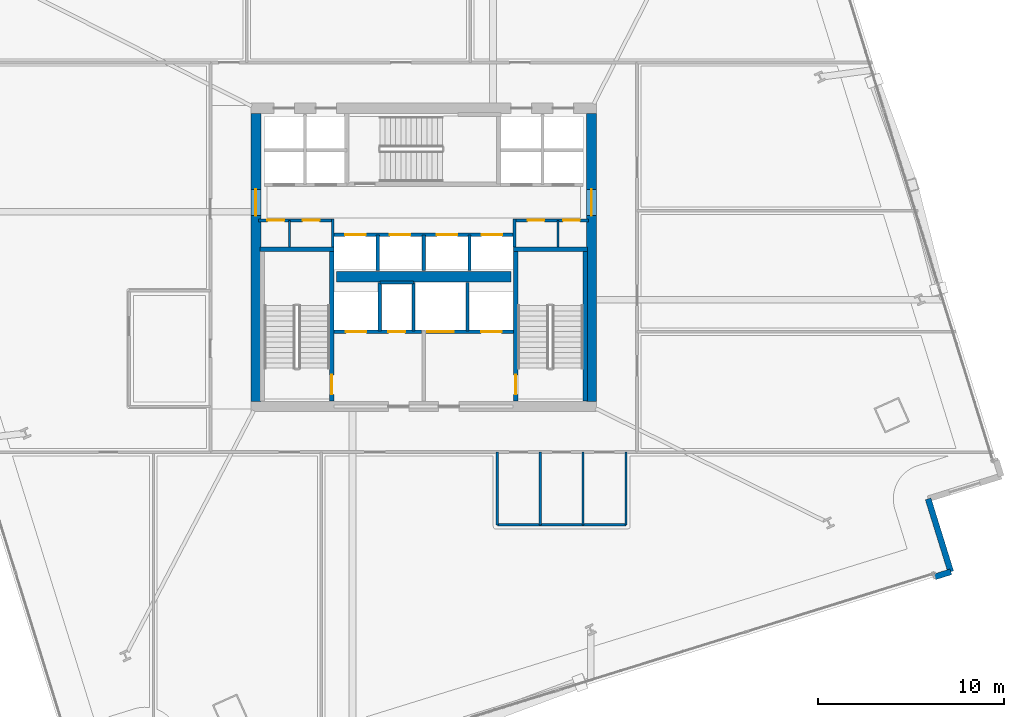
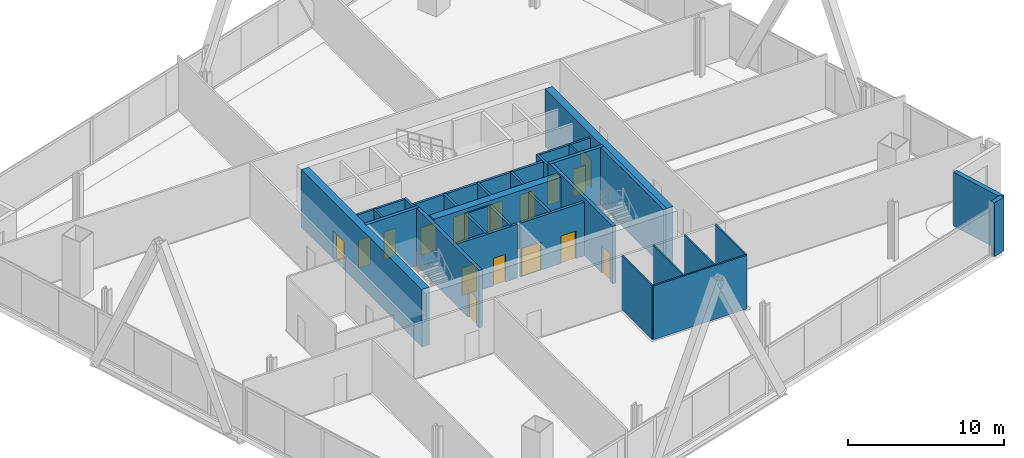
# One storey, part 17 of 26: 31 walls, 16 doors, 16 openings.
"""IFC4 building model written with IfcOpenShell, lengths in metres."""

from ifc_helpers import new_model, si_unit, direction, frame, frame_2d, origin, place, context, subcontext, project, spatial, rectangle, extrude, material, layer, layer_set, type_object, element, fill, save


model = new_model("IFC4")

# Units and contexts
model_context = context("Model", 3, precision=1e-05, world=origin(), true_north=direction((0.0, 1.0)))
body_context = subcontext(model_context, "Body", "Model", "MODEL_VIEW")
ifc_project = project(units=[si_unit("LENGTHUNIT", "METRE"), si_unit("AREAUNIT", "SQUARE_METRE"), si_unit("VOLUMEUNIT", "CUBIC_METRE"), si_unit("PLANEANGLEUNIT", "RADIAN"), si_unit("MASSUNIT", "GRAM", prefix="KILO")], contexts=[model_context])

# Site, building, storey
site_placement = place(None, origin())
site = spatial("IfcSite", under=ifc_project, at=site_placement, CompositionType="ELEMENT")
building_placement = place(site_placement, origin())
building = spatial("IfcBuilding", under=site, at=building_placement, Name="Haldenkirk Collegiate Tower", CompositionType="ELEMENT")
storey_placement = place(building_placement, frame((0.0, 0.0, 85.949951171875)))
storey = spatial("IfcBuildingStorey", under=building, at=storey_placement, Name="L20", CompositionType="ELEMENT", Elevation=85.949951171875)

# Wall, opening, door
ifc_material_1 = material(Name="Concrete f'c 70 MPa", Category="concrete")
ifc_layer_1 = layer(ifc_material_1, 0.550048828125)
ifc_layer_set_1 = layer_set([ifc_layer_1], Name="Concrete f'c 70 MPa")
wall_type_1 = type_object("IfcWallType", Name="WL-CORE-550", PredefinedType="SHEAR", material=ifc_layer_set_1)
wall_1_placement = place(storey_placement, frame((27.0, 18.27490234375, 0.0), z_axis=(0.0, 0.0, 1.0), x_axis=(0.0, 1.0, 0.0)))
wall_1 = element("IfcWall", 1, at=wall_1_placement, inside=storey, type_object=wall_type_1, Name="L20 central core shear wall W", PredefinedType="SHEAR", context=body_context, shape_type="SweptSolid", body=[
    extrude(rectangle(XDim=15.4501953125, YDim=0.550048828125, at=frame_2d((7.72509765625, 0.0))), origin(), (0.0, 0.0, 1.0), 4.5),
])
opening_1_placement = place(wall_1_placement, frame((9.965087890625, 0.0, 0.0)))
opening_1 = element("IfcOpeningElement", 2, at=opening_1_placement, cuts=wall_1, Name="Opening D-03", PredefinedType="OPENING", context=body_context, shape_type="SweptSolid", body=[
    extrude(rectangle(XDim=1.39990234375, YDim=2.199951171875, at=frame_2d((0.699951171875, 1.10009765625))), frame((0.0, 0.284912109375, 0.0), z_axis=(0.0, -1.0, 0.0), x_axis=(1.0, 0.0, 0.0)), (0.0, 0.0, 1.0), 0.570068359375),
])
ifc_material_2 = material(Name="Galvanized fire-rated hollow steel door", Category="steel")
ifc_layer_2 = layer(ifc_material_2, 0.06005859375)
ifc_layer_set_2 = layer_set([ifc_layer_2], Name="Galvanized fire-rated hollow steel door")
door_type_1 = type_object("IfcDoorType", Name="DR-LOBBY-FD90-1400", OperationType="NOTDEFINED", PredefinedType="DOOR", material=ifc_layer_set_2)
door_1_placement = place(opening_1_placement, origin())
door_1 = element("IfcDoor", 3, at=door_1_placement, inside=storey, type_object=door_type_1, Name="L20 west lift lobby portal", OperationType="DOUBLE_DOOR_SINGLE_SWING", OverallHeight=2.199951171875, OverallWidth=1.39990234375, PredefinedType="DOOR", context=body_context, shape_type="SweptSolid", body=[
    extrude(rectangle(XDim=1.39990234375, YDim=2.199951171875, at=frame_2d((0.699951171875, 1.10009765625))), frame((0.0, 0.02490234375, 0.0), z_axis=(0.0, -1.0, 0.0), x_axis=(1.0, 0.0, 0.0)), (0.0, 0.0, 1.0), 0.050048828125),
])
fill(opening_1, door_1)

wall_2_placement = place(storey_placement, frame((45.0, 18.27490234375, 0.0), z_axis=(0.0, 0.0, 1.0), x_axis=(0.0, 1.0, 0.0)))
wall_2 = element("IfcWall", 4, at=wall_2_placement, inside=storey, type_object=wall_type_1, Name="L20 central core shear wall E", PredefinedType="SHEAR", context=body_context, shape_type="SweptSolid", body=[
    extrude(rectangle(XDim=15.4501953125, YDim=0.550048828125, at=frame_2d((7.72509765625, 0.0))), origin(), (0.0, 0.0, 1.0), 4.5),
])
opening_2_placement = place(wall_2_placement, frame((9.965087890625, 0.0, 0.0)))
opening_2 = element("IfcOpeningElement", 5, at=opening_2_placement, cuts=wall_2, Name="Opening D-03", PredefinedType="OPENING", context=body_context, shape_type="SweptSolid", body=[
    extrude(rectangle(XDim=1.39990234375, YDim=2.199951171875, at=frame_2d((0.699951171875, 1.10009765625))), frame((0.0, 0.284912109375, 0.0), z_axis=(0.0, -1.0, 0.0), x_axis=(1.0, 0.0, 0.0)), (0.0, 0.0, 1.0), 0.570068359375),
])
door_2_placement = place(opening_2_placement, origin())
door_2 = element("IfcDoor", 6, at=door_2_placement, inside=storey, type_object=door_type_1, Name="L20 east lift lobby portal", OperationType="DOUBLE_DOOR_SINGLE_SWING", OverallHeight=2.199951171875, OverallWidth=1.39990234375, PredefinedType="DOOR", context=body_context, shape_type="SweptSolid", body=[
    extrude(rectangle(XDim=1.39990234375, YDim=2.199951171875, at=frame_2d((0.699951171875, 1.10009765625))), frame((0.0, 0.02490234375, 0.0), z_axis=(0.0, -1.0, 0.0), x_axis=(1.0, 0.0, 0.0)), (0.0, 0.0, 1.0), 0.050048828125),
])
fill(opening_2, door_2)

# Walls
wall_3_placement = place(storey_placement, frame((31.31005859375, 24.949951171875, 0.0), z_axis=(0.0, 0.0, 1.0), x_axis=(1.0, 0.0, 0.0)))
element("IfcWall", 7, at=wall_3_placement, inside=storey, type_object=wall_type_1, Name="L20 central core spine shear wall", PredefinedType="SHEAR", context=body_context, shape_type="SweptSolid", body=[
    extrude(rectangle(XDim=9.3798828125, YDim=0.550048828125, at=frame_2d((4.68994140625, 0.0))), origin(), (0.0, 0.0, 1.0), 4.5),
])
ifc_material_3 = material(Name="Precast concrete f'c 40 MPa", Category="concrete")
ifc_layer_3 = layer(ifc_material_3, 0.320068359375)
ifc_layer_set_3 = layer_set([ifc_layer_3], Name="Precast concrete f'c 40 MPa")
wall_type_2 = type_object("IfcWallType", Name="WL-EXT-TWR-320", PredefinedType="STANDARD", material=ifc_layer_set_3)
wall_4_placement = place(storey_placement, frame((64.275634765625, 9.1259765625, 0.0), z_axis=(0.0, 0.0, 1.0), x_axis=(-0.954942240285, -0.296791707634, 0.0)))
element("IfcWall", 8, at=wall_4_placement, inside=storey, type_object=wall_type_2, Name="L20 precast corner pier SL", PredefinedType="STANDARD", context=body_context, shape_type="SweptSolid", body=[
    extrude(rectangle(XDim=0.89990234375, YDim=0.320068359375, at=frame_2d((0.449951171875, 0.0))), origin(), (0.0, 0.0, 1.0), 4.199951171875),
])
wall_5_placement = place(storey_placement, frame((63.059814453125, 13.04150390625, 0.0), z_axis=(0.0, 0.0, 1.0), x_axis=(0.296545302379, -0.95501878706, 0.0)))
element("IfcWall", 9, at=wall_5_placement, inside=storey, type_object=wall_type_2, Name="L20 bronze precast notch wall 02", PredefinedType="STANDARD", context=body_context, shape_type="SweptSolid", body=[
    extrude(rectangle(XDim=4.099853515625, YDim=0.320068359375, at=frame_2d((2.0498046875, 0.0))), origin(), (0.0, 0.0, 1.0), 4.199951171875),
])

# Wall, openings, doors
ifc_material_4 = material(Name="Acoustic fire-rated gypsum partition", Category="concrete")
ifc_layer_4 = layer(ifc_material_4, 0.159912109375)
ifc_layer_set_4 = layer_set([ifc_layer_4], Name="Acoustic fire-rated gypsum partition")
wall_type_3 = type_object("IfcWallType", Name="WL-INT-CORR-160", PredefinedType="PARTITIONING", material=ifc_layer_set_4)
wall_6_placement = place(storey_placement, frame((27.14990234375, 27.97998046875, 0.0), z_axis=(0.0, 0.0, 1.0), x_axis=(1.0, 0.0, 0.0)))
wall_6 = element("IfcWall", 10, at=wall_6_placement, inside=storey, type_object=wall_type_3, Name="L20 interior partition IW-L20-VCSW-N", PredefinedType="PARTITIONING", context=body_context, shape_type="SweptSolid", body=[
    extrude(rectangle(XDim=4.050048828125, YDim=0.159912109375, at=frame_2d((2.02490234375, 0.0))), origin(), (0.0, 0.0, 1.0), 4.199951171875),
])
opening_3_placement = place(wall_6_placement, frame((0.469970703125, 0.0, 0.0)))
opening_3 = element("IfcOpeningElement", 11, at=opening_3_placement, cuts=wall_6, Name="Opening D-11", PredefinedType="OPENING", context=body_context, shape_type="SweptSolid", body=[
    extrude(rectangle(XDim=0.89990234375, YDim=2.14990234375, at=frame_2d((0.449951171875, 1.074951171875))), frame((0.0, 0.08984375, 0.0), z_axis=(0.0, -1.0, 0.0), x_axis=(1.0, 0.0, 0.0)), (0.0, 0.0, 1.0), 0.179931640625),
])
opening_4_placement = place(wall_6_placement, frame((2.360107421875, 0.0, 0.0)))
opening_4 = element("IfcOpeningElement", 12, at=opening_4_placement, cuts=wall_6, Name="Opening D-11", PredefinedType="OPENING", context=body_context, shape_type="SweptSolid", body=[
    extrude(rectangle(XDim=0.89990234375, YDim=2.14990234375, at=frame_2d((0.449951171875, 1.074951171875))), frame((0.0, 0.08984375, 0.0), z_axis=(0.0, -1.0, 0.0), x_axis=(1.0, 0.0, 0.0)), (0.0, 0.0, 1.0), 0.179931640625),
])
ifc_material_5 = material(Name="Solid-core architectural oak fire door", Category="wood")
ifc_layer_5 = layer(ifc_material_5, 0.06005859375)
ifc_layer_set_5 = layer_set([ifc_layer_5], Name="Solid-core architectural oak fire door")
door_type_2 = type_object("IfcDoorType", Name="DR-INT-FD60-900", OperationType="NOTDEFINED", PredefinedType="DOOR", material=ifc_layer_set_5)
door_3_placement = place(opening_3_placement, origin())
door_3 = element("IfcDoor", 13, at=door_3_placement, inside=storey, type_object=door_type_2, Name="L20 core AV closet door", OperationType="SINGLE_SWING_RIGHT", OverallHeight=2.14990234375, OverallWidth=0.89990234375, PredefinedType="DOOR", context=body_context, shape_type="SweptSolid", body=[
    extrude(rectangle(XDim=0.89990234375, YDim=2.14990234375, at=frame_2d((0.449951171875, 1.074951171875))), frame((0.0, 0.02490234375, 0.0), z_axis=(0.0, -1.0, 0.0), x_axis=(1.0, 0.0, 0.0)), (0.0, 0.0, 1.0), 0.050048828125),
])
fill(opening_3, door_3)
door_4_placement = place(opening_4_placement, origin())
door_4 = element("IfcDoor", 14, at=door_4_placement, inside=storey, type_object=door_type_2, Name="L20 core supply closet door", OperationType="SINGLE_SWING_LEFT", OverallHeight=2.14990234375, OverallWidth=0.89990234375, PredefinedType="DOOR", context=body_context, shape_type="SweptSolid", body=[
    extrude(rectangle(XDim=0.89990234375, YDim=2.14990234375, at=frame_2d((0.449951171875, 1.074951171875))), frame((0.0, 0.02490234375, 0.0), z_axis=(0.0, -1.0, 0.0), x_axis=(1.0, 0.0, 0.0)), (0.0, 0.0, 1.0), 0.050048828125),
])
fill(opening_4, door_4)

# Wall
wall_7_placement = place(storey_placement, frame((31.1201171875, 26.5400390625, 0.0), z_axis=(0.0, 0.0, 1.0), x_axis=(0.0, 1.0, 0.0)))
element("IfcWall", 15, at=wall_7_placement, inside=storey, type_object=wall_type_3, Name="L20 interior partition IW-L20-VCSW-E", PredefinedType="PARTITIONING", context=body_context, shape_type="SweptSolid", body=[
    extrude(rectangle(XDim=1.510009765625, YDim=0.159912109375, at=frame_2d((0.7548828125, 0.0))), origin(), (0.0, 0.0, 1.0), 4.199951171875),
])

# Wall, openings, doors
wall_8_placement = place(storey_placement, frame((40.800048828125, 27.97998046875, 0.0), z_axis=(0.0, 0.0, 1.0), x_axis=(1.0, 0.0, 0.0)))
wall_8 = element("IfcWall", 16, at=wall_8_placement, inside=storey, type_object=wall_type_3, Name="L20 interior partition IW-L20-VCSE-N", PredefinedType="PARTITIONING", context=body_context, shape_type="SweptSolid", body=[
    extrude(rectangle(XDim=4.050048828125, YDim=0.159912109375, at=frame_2d((2.02490234375, 0.0))), origin(), (0.0, 0.0, 1.0), 4.199951171875),
])
opening_5_placement = place(wall_8_placement, frame((0.77001953125, 0.0, 0.0)))
opening_5 = element("IfcOpeningElement", 17, at=opening_5_placement, cuts=wall_8, Name="Opening D-11", PredefinedType="OPENING", context=body_context, shape_type="SweptSolid", body=[
    extrude(rectangle(XDim=0.89990234375, YDim=2.14990234375, at=frame_2d((0.449951171875, 1.074951171875))), frame((0.0, 0.08984375, 0.0), z_axis=(0.0, -1.0, 0.0), x_axis=(1.0, 0.0, 0.0)), (0.0, 0.0, 1.0), 0.179931640625),
])
opening_6_placement = place(wall_8_placement, frame((2.679931640625, 0.0, 0.0)))
opening_6 = element("IfcOpeningElement", 18, at=opening_6_placement, cuts=wall_8, Name="Opening D-11", PredefinedType="OPENING", context=body_context, shape_type="SweptSolid", body=[
    extrude(rectangle(XDim=0.89990234375, YDim=2.14990234375, at=frame_2d((0.449951171875, 1.074951171875))), frame((0.0, 0.08984375, 0.0), z_axis=(0.0, -1.0, 0.0), x_axis=(1.0, 0.0, 0.0)), (0.0, 0.0, 1.0), 0.179931640625),
])
door_5_placement = place(opening_5_placement, origin())
door_5 = element("IfcDoor", 19, at=door_5_placement, inside=storey, type_object=door_type_2, Name="L20 core archive door", OperationType="SINGLE_SWING_RIGHT", OverallHeight=2.14990234375, OverallWidth=0.89990234375, PredefinedType="DOOR", context=body_context, shape_type="SweptSolid", body=[
    extrude(rectangle(XDim=0.89990234375, YDim=2.14990234375, at=frame_2d((0.449951171875, 1.074951171875))), frame((0.0, 0.02490234375, 0.0), z_axis=(0.0, -1.0, 0.0), x_axis=(1.0, 0.0, 0.0)), (0.0, 0.0, 1.0), 0.050048828125),
])
fill(opening_5, door_5)
door_6_placement = place(opening_6_placement, origin())
door_6 = element("IfcDoor", 20, at=door_6_placement, inside=storey, type_object=door_type_2, Name="L20 core telecom door", OperationType="SINGLE_SWING_LEFT", OverallHeight=2.14990234375, OverallWidth=0.89990234375, PredefinedType="DOOR", context=body_context, shape_type="SweptSolid", body=[
    extrude(rectangle(XDim=0.89990234375, YDim=2.14990234375, at=frame_2d((0.449951171875, 1.074951171875))), frame((0.0, 0.02490234375, 0.0), z_axis=(0.0, -1.0, 0.0), x_axis=(1.0, 0.0, 0.0)), (0.0, 0.0, 1.0), 0.050048828125),
])
fill(opening_6, door_6)

# Walls
wall_9_placement = place(storey_placement, frame((40.8798828125, 26.5400390625, 0.0), z_axis=(0.0, 0.0, 1.0), x_axis=(0.0, 1.0, 0.0)))
element("IfcWall", 21, at=wall_9_placement, inside=storey, type_object=wall_type_3, Name="L20 interior partition IW-L20-VCSE-W", PredefinedType="PARTITIONING", context=body_context, shape_type="SweptSolid", body=[
    extrude(rectangle(XDim=1.510009765625, YDim=0.159912109375, at=frame_2d((0.7548828125, 0.0))), origin(), (0.0, 0.0, 1.0), 4.199951171875),
])
ifc_material_6 = material(Name="Fire-rated gypsum shaftboard assembly", Category="concrete")
ifc_layer_6 = layer(ifc_material_6, 0.179931640625)
ifc_layer_set_6 = layer_set([ifc_layer_6], Name="Fire-rated gypsum shaftboard assembly")
wall_type_4 = type_object("IfcWallType", Name="WL-INT-SHAFT-180", PredefinedType="PARTITIONING", material=ifc_layer_set_6)
for number, where, z_axis, x_axis, name in (
    (22, (33.64990234375, 22.050048828125, 0.0), (0.0, 0.0, 1.0), (0.0, 1.0, 0.0), "L20 interior partition IW-L20-FL1E"),
    (23, (35.449951171875, 22.050048828125, 0.0), (0.0, 0.0, 1.0), (0.0, 1.0, 0.0), "L20 interior partition IW-L20-GL1W"),
):
    element("IfcWall", number, at=place(storey_placement, frame(where, z_axis=z_axis, x_axis=x_axis)), inside=storey, type_object=wall_type_4, Name=name, PredefinedType="PARTITIONING", context=body_context, shape_type="SweptSolid", body=[
        extrude(rectangle(XDim=2.599853515625, YDim=0.179931640625, at=frame_2d((1.2998046875, 0.0))), origin(), (0.0, 0.0, 1.0), 4.199951171875),
    ])
wall_10_placement = place(storey_placement, frame((33.64990234375, 24.64990234375, 0.0), z_axis=(0.0, 0.0, 1.0), x_axis=(1.0, 0.0, 0.0)))
element("IfcWall", 24, at=wall_10_placement, inside=storey, type_object=wall_type_4, Name="L20 interior partition IW-L20-RSRN", PredefinedType="PARTITIONING", context=body_context, shape_type="SweptSolid", body=[
    extrude(rectangle(XDim=1.800048828125, YDim=0.179931640625, at=frame_2d((0.89990234375, 0.0))), origin(), (0.0, 0.0, 1.0), 4.199951171875),
])
wall_11_placement = place(storey_placement, frame((38.35009765625, 22.050048828125, 0.0), z_axis=(0.0, 0.0, 1.0), x_axis=(0.0, 1.0, 0.0)))
element("IfcWall", 25, at=wall_11_placement, inside=storey, type_object=wall_type_4, Name="L20 interior partition IW-L20-GL1E", PredefinedType="PARTITIONING", context=body_context, shape_type="SweptSolid", body=[
    extrude(rectangle(XDim=2.599853515625, YDim=0.179931640625, at=frame_2d((1.2998046875, 0.0))), origin(), (0.0, 0.0, 1.0), 4.199951171875),
])

# Wall, openings, doors
wall_12_placement = place(storey_placement, frame((31.199951171875, 27.199951171875, 0.0), z_axis=(0.0, 0.0, 1.0), x_axis=(1.0, 0.0, 0.0)))
wall_12 = element("IfcWall", 26, at=wall_12_placement, inside=storey, type_object=wall_type_4, Name="L20 interior partition IW-L20-PHN", PredefinedType="PARTITIONING", context=body_context, shape_type="SweptSolid", body=[
    extrude(rectangle(XDim=9.60009765625, YDim=0.179931640625, at=frame_2d((4.800048828125, 0.0))), origin(), (0.0, 0.0, 1.0), 4.199951171875),
])
opening_7_placement = place(wall_12_placement, frame((0.590087890625, 0.0, 0.0)))
opening_7 = element("IfcOpeningElement", 27, at=opening_7_placement, cuts=wall_12, Name="Opening LD-11", PredefinedType="OPENING", context=body_context, shape_type="SweptSolid", body=[
    extrude(rectangle(XDim=1.10009765625, YDim=2.14990234375, at=frame_2d((0.550048828125, 1.074951171875))), frame((0.0, 0.099853515625, 0.0), z_axis=(0.0, -1.0, 0.0), x_axis=(1.0, 0.0, 0.0)), (0.0, 0.0, 1.0), 0.199951171875),
])
opening_8_placement = place(wall_12_placement, frame((2.989990234375, 0.0, 0.0)))
opening_8 = element("IfcOpeningElement", 28, at=opening_8_placement, cuts=wall_12, Name="Opening LD-11", PredefinedType="OPENING", context=body_context, shape_type="SweptSolid", body=[
    extrude(rectangle(XDim=1.10009765625, YDim=2.14990234375, at=frame_2d((0.550048828125, 1.074951171875))), frame((0.0, 0.099853515625, 0.0), z_axis=(0.0, -1.0, 0.0), x_axis=(1.0, 0.0, 0.0)), (0.0, 0.0, 1.0), 0.199951171875),
])
opening_9_placement = place(wall_12_placement, frame((5.510009765625, 0.0, 0.0)))
opening_9 = element("IfcOpeningElement", 29, at=opening_9_placement, cuts=wall_12, Name="Opening LD-11", PredefinedType="OPENING", context=body_context, shape_type="SweptSolid", body=[
    extrude(rectangle(XDim=1.10009765625, YDim=2.14990234375, at=frame_2d((0.550048828125, 1.074951171875))), frame((0.0, 0.099853515625, 0.0), z_axis=(0.0, -1.0, 0.0), x_axis=(1.0, 0.0, 0.0)), (0.0, 0.0, 1.0), 0.199951171875),
])
opening_10_placement = place(wall_12_placement, frame((7.909912109375, 0.0, 0.0)))
opening_10 = element("IfcOpeningElement", 30, at=opening_10_placement, cuts=wall_12, Name="Opening LD-11", PredefinedType="OPENING", context=body_context, shape_type="SweptSolid", body=[
    extrude(rectangle(XDim=1.10009765625, YDim=2.14990234375, at=frame_2d((0.550048828125, 1.074951171875))), frame((0.0, 0.099853515625, 0.0), z_axis=(0.0, -1.0, 0.0), x_axis=(1.0, 0.0, 0.0)), (0.0, 0.0, 1.0), 0.199951171875),
])
ifc_material_7 = material(Name="Brushed architectural stainless steel", Category="steel")
ifc_layer_7 = layer(ifc_material_7, 0.06005859375)
ifc_layer_set_7 = layer_set([ifc_layer_7], Name="Brushed architectural stainless steel")
door_type_3 = type_object("IfcDoorType", Name="LD-PASS-1100", OperationType="NOTDEFINED", PredefinedType="DOOR", material=ifc_layer_set_7)
door_7_placement = place(opening_7_placement, origin())
door_7 = element("IfcDoor", 31, at=door_7_placement, inside=storey, type_object=door_type_3, Name="L20 Elevator PH1 sliding landing door", OperationType="SLIDING_TO_LEFT", OverallHeight=2.14990234375, OverallWidth=1.10009765625, PredefinedType="DOOR", context=body_context, shape_type="SweptSolid", body=[
    extrude(rectangle(XDim=1.10009765625, YDim=2.14990234375, at=frame_2d((0.550048828125, 1.074951171875))), frame((0.0, 0.02490234375, 0.0), z_axis=(0.0, -1.0, 0.0), x_axis=(1.0, 0.0, 0.0)), (0.0, 0.0, 1.0), 0.050048828125),
])
fill(opening_7, door_7)
door_8_placement = place(opening_8_placement, origin())
door_8 = element("IfcDoor", 32, at=door_8_placement, inside=storey, type_object=door_type_3, Name="L20 Elevator PH2 sliding landing door", OperationType="SLIDING_TO_LEFT", OverallHeight=2.14990234375, OverallWidth=1.10009765625, PredefinedType="DOOR", context=body_context, shape_type="SweptSolid", body=[
    extrude(rectangle(XDim=1.10009765625, YDim=2.14990234375, at=frame_2d((0.550048828125, 1.074951171875))), frame((0.0, 0.02490234375, 0.0), z_axis=(0.0, -1.0, 0.0), x_axis=(1.0, 0.0, 0.0)), (0.0, 0.0, 1.0), 0.050048828125),
])
fill(opening_8, door_8)
door_9_placement = place(opening_9_placement, origin())
door_9 = element("IfcDoor", 33, at=door_9_placement, inside=storey, type_object=door_type_3, Name="L20 Elevator PH3 sliding landing door", OperationType="SLIDING_TO_LEFT", OverallHeight=2.14990234375, OverallWidth=1.10009765625, PredefinedType="DOOR", context=body_context, shape_type="SweptSolid", body=[
    extrude(rectangle(XDim=1.10009765625, YDim=2.14990234375, at=frame_2d((0.550048828125, 1.074951171875))), frame((0.0, 0.02490234375, 0.0), z_axis=(0.0, -1.0, 0.0), x_axis=(1.0, 0.0, 0.0)), (0.0, 0.0, 1.0), 0.050048828125),
])
fill(opening_9, door_9)
door_10_placement = place(opening_10_placement, origin())
door_10 = element("IfcDoor", 34, at=door_10_placement, inside=storey, type_object=door_type_3, Name="L20 Elevator PH4 sliding landing door", OperationType="SLIDING_TO_LEFT", OverallHeight=2.14990234375, OverallWidth=1.10009765625, PredefinedType="DOOR", context=body_context, shape_type="SweptSolid", body=[
    extrude(rectangle(XDim=1.10009765625, YDim=2.14990234375, at=frame_2d((0.550048828125, 1.074951171875))), frame((0.0, 0.02490234375, 0.0), z_axis=(0.0, -1.0, 0.0), x_axis=(1.0, 0.0, 0.0)), (0.0, 0.0, 1.0), 0.050048828125),
])
fill(opening_10, door_10)

# Walls
for number, where, z_axis, x_axis, name in (
    (35, (33.5400390625, 25.300048828125, 0.0), (0.0, 0.0, 1.0), (0.0, 1.0, 0.0), "L20 interior partition IW-L20-PHV1"),
    (36, (36.0, 25.300048828125, 0.0), (0.0, 0.0, 1.0), (0.0, 1.0, 0.0), "L20 interior partition IW-L20-PHV2"),
    (37, (38.4599609375, 25.300048828125, 0.0), (0.0, 0.0, 1.0), (0.0, 1.0, 0.0), "L20 interior partition IW-L20-PHV3"),
):
    element("IfcWall", number, at=place(storey_placement, frame(where, z_axis=z_axis, x_axis=x_axis)), inside=storey, type_object=wall_type_4, Name=name, PredefinedType="PARTITIONING", context=body_context, shape_type="SweptSolid", body=[
        extrude(rectangle(XDim=1.89990234375, YDim=0.179931640625, at=frame_2d((0.949951171875, 0.0))), origin(), (0.0, 0.0, 1.0), 4.199951171875),
    ])

# Wall, openings, doors
ifc_layer_8 = layer(ifc_material_6, 0.199951171875)
ifc_layer_set_8 = layer_set([ifc_layer_8], Name="Fire-rated gypsum shaftboard assembly")
wall_type_5 = type_object("IfcWallType", Name="WL-INT-SHAFT-200", PredefinedType="PARTITIONING", material=ifc_layer_set_8)
wall_13_placement = place(storey_placement, frame((31.18994140625, 22.0, 0.0), z_axis=(0.0, 0.0, 1.0), x_axis=(1.0, 0.0, 0.0)))
wall_13 = element("IfcWall", 38, at=wall_13_placement, inside=storey, type_object=wall_type_5, Name="L20 interior partition IW-L20-FFL1N", PredefinedType="PARTITIONING", context=body_context, shape_type="SweptSolid", body=[
    extrude(rectangle(XDim=4.68994140625, YDim=0.199951171875, at=frame_2d((2.344970703125, 0.0))), origin(), (0.0, 0.0, 1.0), 4.199951171875),
])
opening_11_placement = place(wall_13_placement, frame((2.909912109375, 0.0, 0.0)))
opening_11 = element("IfcOpeningElement", 39, at=opening_11_placement, cuts=wall_13, Name="Opening D-06", PredefinedType="OPENING", context=body_context, shape_type="SweptSolid", body=[
    extrude(rectangle(XDim=0.89990234375, YDim=2.14990234375, at=frame_2d((0.449951171875, 1.074951171875))), frame((0.0, 0.10986328125, 0.0), z_axis=(0.0, -1.0, 0.0), x_axis=(1.0, 0.0, 0.0)), (0.0, 0.0, 1.0), 0.219970703125),
])
opening_12_placement = place(wall_13_placement, frame((0.635009765625, 0.0, 0.0)))
opening_12 = element("IfcOpeningElement", 40, at=opening_12_placement, cuts=wall_13, Name="Opening LD-12", PredefinedType="OPENING", context=body_context, shape_type="SweptSolid", body=[
    extrude(rectangle(XDim=1.10009765625, YDim=2.14990234375, at=frame_2d((0.550048828125, 1.074951171875))), frame((0.0, 0.10986328125, 0.0), z_axis=(0.0, -1.0, 0.0), x_axis=(1.0, 0.0, 0.0)), (0.0, 0.0, 1.0), 0.219970703125),
])
ifc_layer_9 = layer(ifc_material_2, 0.06005859375)
ifc_layer_set_9 = layer_set([ifc_layer_9], Name="Galvanized fire-rated hollow steel door")
door_type_4 = type_object("IfcDoorType", Name="DR-INT-FD90-900", OperationType="NOTDEFINED", PredefinedType="DOOR", material=ifc_layer_set_9)
door_11_placement = place(opening_11_placement, origin())
door_11 = element("IfcDoor", 41, at=door_11_placement, inside=storey, type_object=door_type_4, Name="L20 electrical riser door", OperationType="SINGLE_SWING_LEFT", OverallHeight=2.14990234375, OverallWidth=0.89990234375, PredefinedType="DOOR", context=body_context, shape_type="SweptSolid", body=[
    extrude(rectangle(XDim=0.89990234375, YDim=2.14990234375, at=frame_2d((0.449951171875, 1.074951171875))), frame((0.0, 0.02490234375, 0.0), z_axis=(0.0, -1.0, 0.0), x_axis=(1.0, 0.0, 0.0)), (0.0, 0.0, 1.0), 0.050048828125),
])
fill(opening_11, door_11)
ifc_layer_10 = layer(ifc_material_7, 0.06005859375)
ifc_layer_set_10 = layer_set([ifc_layer_10], Name="Brushed architectural stainless steel")
door_type_5 = type_object("IfcDoorType", Name="LD-FIRE-1100", OperationType="NOTDEFINED", PredefinedType="DOOR", material=ifc_layer_set_10)
door_12_placement = place(opening_12_placement, origin())
door_12 = element("IfcDoor", 42, at=door_12_placement, inside=storey, type_object=door_type_5, Name="L20 Elevator FL1 sliding landing door", OperationType="SLIDING_TO_LEFT", OverallHeight=2.14990234375, OverallWidth=1.10009765625, PredefinedType="DOOR", context=body_context, shape_type="SweptSolid", body=[
    extrude(rectangle(XDim=1.10009765625, YDim=2.14990234375, at=frame_2d((0.550048828125, 1.074951171875))), frame((0.0, 0.02490234375, 0.0), z_axis=(0.0, -1.0, 0.0), x_axis=(1.0, 0.0, 0.0)), (0.0, 0.0, 1.0), 0.050048828125),
])
fill(opening_12, door_12)

wall_14_placement = place(storey_placement, frame((36.1201171875, 22.0, 0.0), z_axis=(0.0, 0.0, 1.0), x_axis=(1.0, 0.0, 0.0)))
wall_14 = element("IfcWall", 43, at=wall_14_placement, inside=storey, type_object=wall_type_5, Name="L20 interior partition IW-L20-FFL2N", PredefinedType="PARTITIONING", context=body_context, shape_type="SweptSolid", body=[
    extrude(rectangle(XDim=4.68994140625, YDim=0.199951171875, at=frame_2d((2.344970703125, 0.0))), origin(), (0.0, 0.0, 1.0), 4.199951171875),
])
opening_13_placement = place(wall_14_placement, frame((2.955078125, 0.0, 0.0)))
opening_13 = element("IfcOpeningElement", 44, at=opening_13_placement, cuts=wall_14, Name="Opening LD-12", PredefinedType="OPENING", context=body_context, shape_type="SweptSolid", body=[
    extrude(rectangle(XDim=1.10009765625, YDim=2.14990234375, at=frame_2d((0.550048828125, 1.074951171875))), frame((0.0, 0.10986328125, 0.0), z_axis=(0.0, -1.0, 0.0), x_axis=(1.0, 0.0, 0.0)), (0.0, 0.0, 1.0), 0.219970703125),
])
opening_14_placement = place(wall_14_placement, frame((0.080078125, 0.0, 0.0)))
opening_14 = element("IfcOpeningElement", 45, at=opening_14_placement, cuts=wall_14, Name="Opening LD-13", PredefinedType="OPENING", context=body_context, shape_type="SweptSolid", body=[
    extrude(rectangle(XDim=1.39990234375, YDim=2.199951171875, at=frame_2d((0.699951171875, 1.10009765625))), frame((0.0, 0.10986328125, 0.0), z_axis=(0.0, -1.0, 0.0), x_axis=(1.0, 0.0, 0.0)), (0.0, 0.0, 1.0), 0.219970703125),
])
door_13_placement = place(opening_13_placement, origin())
door_13 = element("IfcDoor", 46, at=door_13_placement, inside=storey, type_object=door_type_5, Name="L20 Elevator FL2 sliding landing door", OperationType="SLIDING_TO_LEFT", OverallHeight=2.14990234375, OverallWidth=1.10009765625, PredefinedType="DOOR", context=body_context, shape_type="SweptSolid", body=[
    extrude(rectangle(XDim=1.10009765625, YDim=2.14990234375, at=frame_2d((0.550048828125, 1.074951171875))), frame((0.0, 0.02490234375, 0.0), z_axis=(0.0, -1.0, 0.0), x_axis=(1.0, 0.0, 0.0)), (0.0, 0.0, 1.0), 0.050048828125),
])
fill(opening_13, door_13)
ifc_layer_11 = layer(ifc_material_7, 0.06005859375)
ifc_layer_set_11 = layer_set([ifc_layer_11], Name="Brushed architectural stainless steel")
door_type_6 = type_object("IfcDoorType", Name="LD-GOODS-1400", OperationType="NOTDEFINED", PredefinedType="DOOR", material=ifc_layer_set_11)
door_14_placement = place(opening_14_placement, origin())
door_14 = element("IfcDoor", 47, at=door_14_placement, inside=storey, type_object=door_type_6, Name="L20 Elevator GL1 sliding landing door", OperationType="SLIDING_TO_LEFT", OverallHeight=2.199951171875, OverallWidth=1.39990234375, PredefinedType="DOOR", context=body_context, shape_type="SweptSolid", body=[
    extrude(rectangle(XDim=1.39990234375, YDim=2.199951171875, at=frame_2d((0.699951171875, 1.10009765625))), frame((0.0, 0.02490234375, 0.0), z_axis=(0.0, -1.0, 0.0), x_axis=(1.0, 0.0, 0.0)), (0.0, 0.0, 1.0), 0.050048828125),
])
fill(opening_14, door_14)

# Walls
ifc_layer_12 = layer(ifc_material_4, 0.1201171875)
ifc_layer_set_12 = layer_set([ifc_layer_12], Name="Acoustic fire-rated gypsum partition")
wall_type_6 = type_object("IfcWallType", Name="WL-INT-WET-120", PredefinedType="PARTITIONING", material=ifc_layer_set_12)
for number, where, z_axis, x_axis, name in (
    (48, (28.800048828125, 26.5400390625, 0.0), (0.0, 0.0, 1.0), (0.0, 1.0, 0.0), "L20 interior partition IW-L20-VCSW-M"),
    (49, (43.199951171875, 26.5400390625, 0.0), (0.0, 0.0, 1.0), (0.0, 1.0, 0.0), "L20 interior partition IW-L20-VCSE-M"),
):
    element("IfcWall", number, at=place(storey_placement, frame(where, z_axis=z_axis, x_axis=x_axis)), inside=storey, type_object=wall_type_6, Name=name, PredefinedType="PARTITIONING", context=body_context, shape_type="SweptSolid", body=[
        extrude(rectangle(XDim=1.43994140625, YDim=0.1201171875, at=frame_2d((0.719970703125, 0.0))), origin(), (0.0, 0.0, 1.0), 4.199951171875),
    ])
for number, where, z_axis, x_axis, name in (
    (50, (39.949951171875, 11.64990234375, 0.0), (0.0, 0.0, 1.0), (0.0, 1.0, 0.0), "L20 interior partition IW-L20-WCW"),
    (51, (42.25, 11.64990234375, 0.0), (0.0, 0.0, 1.0), (0.0, 1.0, 0.0), "L20 interior partition IW-L20-WC1"),
    (52, (44.550048828125, 11.64990234375, 0.0), (0.0, 0.0, 1.0), (0.0, 1.0, 0.0), "L20 interior partition IW-L20-WC2"),
    (53, (46.85009765625, 11.64990234375, 0.0), (0.0, 0.0, 1.0), (0.0, 1.0, 0.0), "L20 interior partition IW-L20-WCE"),
):
    element("IfcWall", number, at=place(storey_placement, frame(where, z_axis=z_axis, x_axis=x_axis)), inside=storey, type_object=wall_type_6, Name=name, PredefinedType="PARTITIONING", context=body_context, shape_type="SweptSolid", body=[
        extrude(rectangle(XDim=3.900146484375, YDim=0.1201171875, at=frame_2d((1.9501953125, 0.0))), origin(), (0.0, 0.0, 1.0), 4.199951171875),
    ])
wall_15_placement = place(storey_placement, frame((39.949951171875, 11.64990234375, 0.0), z_axis=(0.0, 0.0, 1.0), x_axis=(1.0, 0.0, 0.0)))
element("IfcWall", 54, at=wall_15_placement, inside=storey, type_object=wall_type_6, Name="L20 interior partition IW-L20-WCB", PredefinedType="PARTITIONING", context=body_context, shape_type="SweptSolid", body=[
    extrude(rectangle(XDim=6.900146484375, YDim=0.1201171875, at=frame_2d((3.4501953125, 0.0))), origin(), (0.0, 0.0, 1.0), 4.199951171875),
])

# Wall, opening, door
ifc_material_8 = material(Name="Concrete f'c 55 MPa", Category="concrete")
ifc_layer_13 = layer(ifc_material_8, 0.239990234375)
ifc_layer_set_13 = layer_set([ifc_layer_13], Name="Concrete f'c 55 MPa")
wall_type_7 = type_object("IfcWallType", Name="WL-SHAFT-240", PredefinedType="SHEAR", material=ifc_layer_set_13)
wall_16_placement = place(storey_placement, frame((31.070068359375, 18.280029296875, 0.0), z_axis=(0.0, 0.0, 1.0), x_axis=(0.0, 1.0, 0.0)))
wall_16 = element("IfcWall", 55, at=wall_16_placement, inside=storey, type_object=wall_type_7, Name="L20 stair shaft shear wall SW-L20-ST1E", PredefinedType="SHEAR", context=body_context, shape_type="SweptSolid", body=[
    extrude(rectangle(XDim=8.260009765625, YDim=0.239990234375, at=frame_2d((4.1298828125, 0.0))), origin(), (0.0, 0.0, 1.0), 4.5),
])
opening_15_placement = place(wall_16_placement, frame((0.364990234375, 0.0, 0.0)))
opening_15 = element("IfcOpeningElement", 56, at=opening_15_placement, cuts=wall_16, Name="Opening D-01", PredefinedType="OPENING", context=body_context, shape_type="SweptSolid", body=[
    extrude(rectangle(XDim=1.050048828125, YDim=2.14990234375, at=frame_2d((0.52490234375, 1.074951171875))), frame((0.0, 0.1298828125, 0.0), z_axis=(0.0, -1.0, 0.0), x_axis=(1.0, 0.0, 0.0)), (0.0, 0.0, 1.0), 0.260009765625),
])
ifc_layer_14 = layer(ifc_material_2, 0.06005859375)
ifc_layer_set_14 = layer_set([ifc_layer_14], Name="Galvanized fire-rated hollow steel door")
door_type_7 = type_object("IfcDoorType", Name="DR-STAIR-FD90-1050", OperationType="NOTDEFINED", PredefinedType="DOOR", material=ifc_layer_set_14)
door_15_placement = place(opening_15_placement, origin())
door_15 = element("IfcDoor", 57, at=door_15_placement, inside=storey, type_object=door_type_7, Name="L20 Stair 1 door", OperationType="SINGLE_SWING_LEFT", OverallHeight=2.14990234375, OverallWidth=1.050048828125, PredefinedType="DOOR", context=body_context, shape_type="SweptSolid", body=[
    extrude(rectangle(XDim=1.050048828125, YDim=2.14990234375, at=frame_2d((0.52490234375, 1.074951171875))), frame((0.0, 0.02490234375, 0.0), z_axis=(0.0, -1.0, 0.0), x_axis=(1.0, 0.0, 0.0)), (0.0, 0.0, 1.0), 0.050048828125),
])
fill(opening_15, door_15)

# Wall
wall_17_placement = place(storey_placement, frame((27.2099609375, 26.419921875, 0.0), z_axis=(0.0, 0.0, 1.0), x_axis=(1.0, 0.0, 0.0)))
element("IfcWall", 58, at=wall_17_placement, inside=storey, type_object=wall_type_7, Name="L20 stair shaft shear wall SW-L20-ST1N", PredefinedType="SHEAR", context=body_context, shape_type="SweptSolid", body=[
    extrude(rectangle(XDim=3.97998046875, YDim=0.239990234375, at=frame_2d((1.989990234375, 0.0))), origin(), (0.0, 0.0, 1.0), 4.5),
])

# Wall, opening, door
wall_18_placement = place(storey_placement, frame((40.929931640625, 18.280029296875, 0.0), z_axis=(0.0, 0.0, 1.0), x_axis=(0.0, 1.0, 0.0)))
wall_18 = element("IfcWall", 59, at=wall_18_placement, inside=storey, type_object=wall_type_7, Name="L20 stair shaft shear wall SW-L20-ST2W", PredefinedType="SHEAR", context=body_context, shape_type="SweptSolid", body=[
    extrude(rectangle(XDim=8.260009765625, YDim=0.239990234375, at=frame_2d((4.1298828125, 0.0))), origin(), (0.0, 0.0, 1.0), 4.5),
])
opening_16_placement = place(wall_18_placement, frame((0.364990234375, 0.0, 0.0)))
opening_16 = element("IfcOpeningElement", 60, at=opening_16_placement, cuts=wall_18, Name="Opening D-01", PredefinedType="OPENING", context=body_context, shape_type="SweptSolid", body=[
    extrude(rectangle(XDim=1.050048828125, YDim=2.14990234375, at=frame_2d((0.52490234375, 1.074951171875))), frame((0.0, 0.1298828125, 0.0), z_axis=(0.0, -1.0, 0.0), x_axis=(1.0, 0.0, 0.0)), (0.0, 0.0, 1.0), 0.260009765625),
])
door_16_placement = place(opening_16_placement, origin())
door_16 = element("IfcDoor", 61, at=door_16_placement, inside=storey, type_object=door_type_7, Name="L20 Stair 2 door", OperationType="SINGLE_SWING_RIGHT", OverallHeight=2.14990234375, OverallWidth=1.050048828125, PredefinedType="DOOR", context=body_context, shape_type="SweptSolid", body=[
    extrude(rectangle(XDim=1.050048828125, YDim=2.14990234375, at=frame_2d((0.52490234375, 1.074951171875))), frame((0.0, 0.02490234375, 0.0), z_axis=(0.0, -1.0, 0.0), x_axis=(1.0, 0.0, 0.0)), (0.0, 0.0, 1.0), 0.050048828125),
])
fill(opening_16, door_16)

# Walls
wall_19_placement = place(storey_placement, frame((40.81005859375, 26.419921875, 0.0), z_axis=(0.0, 0.0, 1.0), x_axis=(1.0, 0.0, 0.0)))
element("IfcWall", 62, at=wall_19_placement, inside=storey, type_object=wall_type_7, Name="L20 stair shaft shear wall SW-L20-ST2N", PredefinedType="SHEAR", context=body_context, shape_type="SweptSolid", body=[
    extrude(rectangle(XDim=3.97998046875, YDim=0.239990234375, at=frame_2d((1.989990234375, 0.0))), origin(), (0.0, 0.0, 1.0), 4.5),
])
wall_20_placement = place(storey_placement, frame((44.669921875, 18.280029296875, 0.0), z_axis=(0.0, 0.0, 1.0), x_axis=(0.0, 1.0, 0.0)))
element("IfcWall", 63, at=wall_20_placement, inside=storey, type_object=wall_type_7, Name="L20 stair shaft shear wall SW-L20-ST2E", PredefinedType="SHEAR", context=body_context, shape_type="SweptSolid", body=[
    extrude(rectangle(XDim=8.260009765625, YDim=0.239990234375, at=frame_2d((4.1298828125, 0.0))), origin(), (0.0, 0.0, 1.0), 4.5),
])

save(model, "model.ifc")
